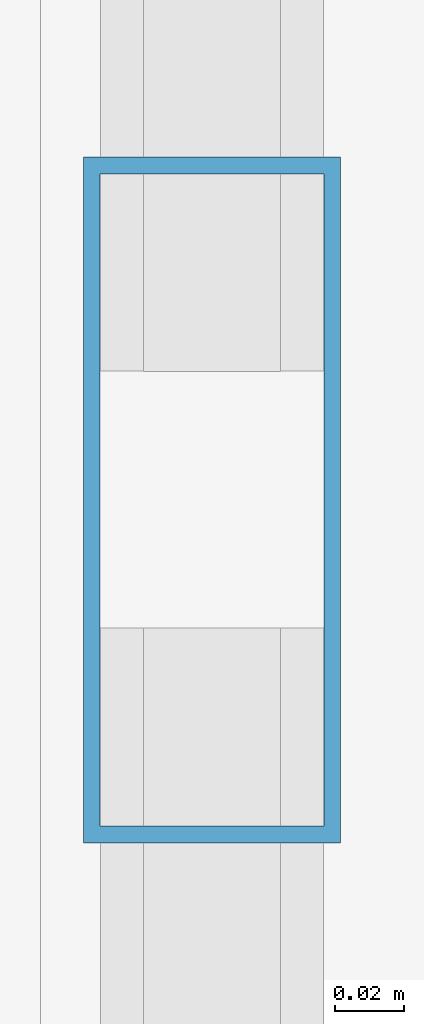
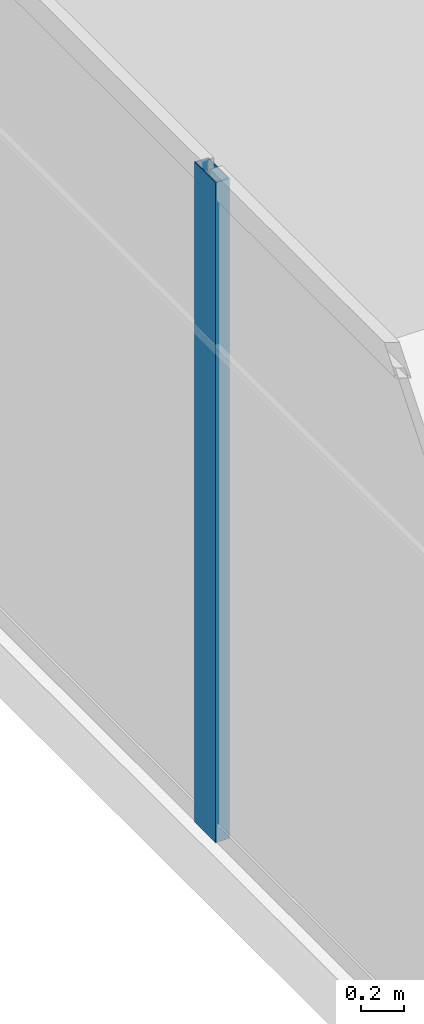
# One storey, part 8 of 34: 1 member, 1 element without a shape of its own.
"""IFC4 building model written with IfcOpenShell, lengths in metres."""

from ifc_helpers import new_model, si_unit, direction, frame, origin, origin_2d, place, context, subcontext, project, spatial, hollow_rectangle, extrude, source, transform, mapped, material, layer, layer_set, material_profile, profile_set, type_object, type_shapes, element, aggregate, save


model = new_model("IFC4")

# Units and contexts
model_context = context("Model", 3, precision=1e-05, world=origin(), true_north=direction((0.0, 1.0)))
body_context = subcontext(model_context, "Body", "Model", "MODEL_VIEW")
ifc_project = project(units=[si_unit("LENGTHUNIT", "METRE"), si_unit("AREAUNIT", "SQUARE_METRE"), si_unit("VOLUMEUNIT", "CUBIC_METRE"), si_unit("PLANEANGLEUNIT", "RADIAN"), si_unit("MASSUNIT", "GRAM", prefix="KILO")], contexts=[model_context])

# Site, building, storey
site_placement = place(None, origin())
site = spatial("IfcSite", under=ifc_project, at=site_placement, CompositionType="ELEMENT")
building_placement = place(site_placement, origin())
building = spatial("IfcBuilding", under=site, at=building_placement, Name="Haelvirn Gate Laboratories", CompositionType="ELEMENT")
storey_placement = place(building_placement, frame((0.0, 0.0, 158.39990234375)))
storey = spatial("IfcBuildingStorey", under=building, at=storey_placement, Name="L38", CompositionType="ELEMENT", Elevation=158.39990234375)

# Curtain wall, member
ifc_material_1 = material(Name="Anodised bronze unitised aluminium & triple low-E glass", Category="aluminium")
ifc_layer = layer(ifc_material_1, 0.179931640625, Name="CW-SYS-3")
ifc_layer_set = layer_set([ifc_layer], Name="Anodised bronze unitised aluminium & triple low-E glass")
curtain_wall_type = type_object("IfcCurtainWallType", Name="CW-SYS-3", PredefinedType="NOTDEFINED", material=ifc_layer_set)
curtain_wall_placement = place(storey_placement, origin())
curtain_wall = element("IfcCurtainWall", 1, at=curtain_wall_placement, inside=storey, type_object=curtain_wall_type, Name="L38 Unitised Curtain Wall CW-L38-P0-E17", PredefinedType="NOTDEFINED")
ifc_material_2 = material(Name="Extruded aluminium 6063-T6 (anodised bronze)", Category="aluminium")
ifc_material_profile = material_profile(ifc_material_2, hollow_rectangle(XDim=0.074951171875, YDim=0.199951171875, WallThickness=0.0048828125, at=origin_2d()), Name="CWM-200x75x5")
ifc_profile_set = profile_set([ifc_material_profile], Name="Extruded aluminium 6063-T6 (anodised bronze)")
member_type = type_object("IfcMemberType", Name="CWM-T200", PredefinedType="MULLION", material=ifc_profile_set)
shared_shape = source(origin(), body_context, "Body", "SweptSolid", [
    extrude(hollow_rectangle(XDim=0.074951171875, YDim=0.199951171875, WallThickness=0.0048828125, at=origin_2d()), origin(), (0.0, 0.0, 1.0), 3.7900390625),
])
type_shapes(member_type, [shared_shape])
member_placement = place(storey_placement, frame((2.10009765625, 30.966552734375, 0.0), z_axis=(0.0, 0.0, 1.0), x_axis=(1.0, 0.0, 0.0)))
member = element("IfcMember", 2, at=member_placement, type_object=member_type, Name="CW3 mullion 2", PredefinedType="MULLION", context=body_context, shape_type="MappedRepresentation", body=[
    mapped(shared_shape, transform((0.0, 0.0, 0.0), scale=1.0)),
])
aggregate(curtain_wall, [member])

save(model, "model.ifc")
